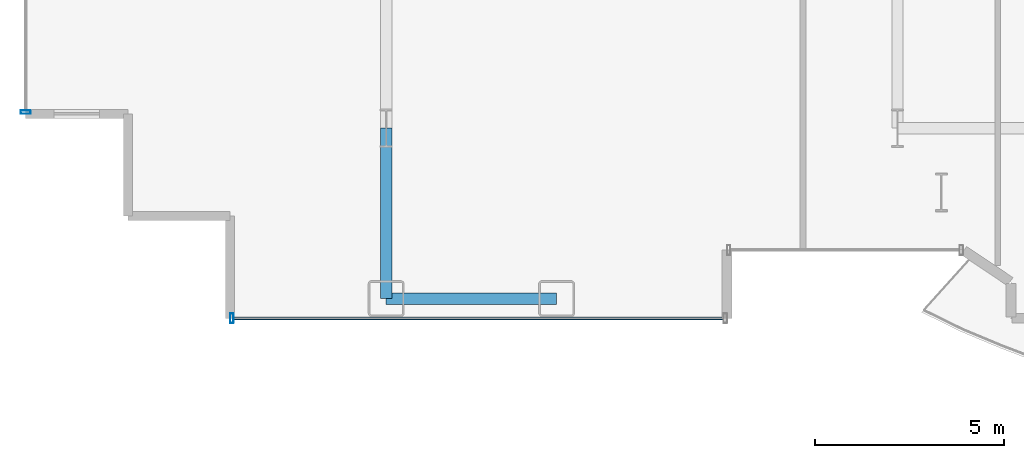
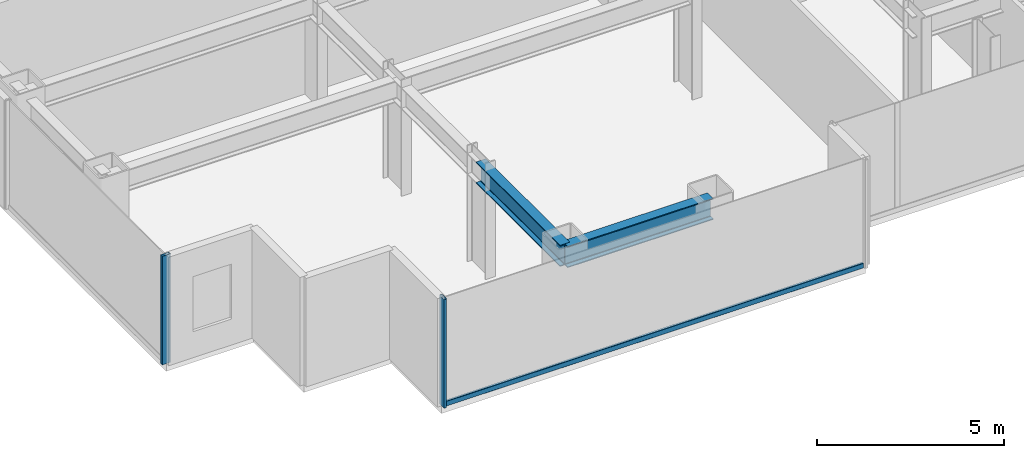
# One storey, part 2 of 29: 3 members, 2 beams, 2 elements without a shape of their own.
"""IFC4 building model written with IfcOpenShell, lengths in metres."""

from ifc_helpers import new_model, si_unit, direction, frame, origin, origin_2d, place, context, subcontext, project, spatial, hollow_rectangle, i_section, extrude, source, transform, mapped, material, layer, layer_set, material_profile, profile_set, type_object, element, aggregate, save


model = new_model("IFC4")

# Units and contexts
model_context = context("Model", 3, precision=1e-05, world=origin(), true_north=direction((0.0, 1.0)))
body_context = subcontext(model_context, "Body", "Model", "MODEL_VIEW")
ifc_project = project(units=[si_unit("LENGTHUNIT", "METRE"), si_unit("AREAUNIT", "SQUARE_METRE"), si_unit("VOLUMEUNIT", "CUBIC_METRE"), si_unit("PLANEANGLEUNIT", "RADIAN"), si_unit("MASSUNIT", "GRAM", prefix="KILO")], contexts=[model_context])

# Site, building, storey
site_placement = place(None, origin())
site = spatial("IfcSite", under=ifc_project, at=site_placement, CompositionType="ELEMENT")
building_placement = place(site_placement, origin())
building = spatial("IfcBuilding", under=site, at=building_placement, Name="Nefas-Gora Pilgrimage Tower", CompositionType="ELEMENT")
storey_placement = place(building_placement, frame((0.0, 0.0, 44.39990234375)))
storey = spatial("IfcBuildingStorey", under=building, at=storey_placement, Name="L09", CompositionType="ELEMENT", Elevation=44.39990234375)

# Beams
ifc_material_1 = material(Name="Steel S355", Category="steel")
ifc_material_profile_1 = material_profile(ifc_material_1, i_section(OverallWidth=0.300048828125, OverallDepth=0.699951171875, WebThickness=0.01708984375, FlangeThickness=0.031982421875, FilletRadius=0.027099609375, at=origin_2d()), Name="HEB 700")
ifc_profile_set_1 = profile_set([ifc_material_profile_1], Name="Steel S355")
beam_type_1 = type_object("IfcBeamType", Name="BM-SPN-HEB600", PredefinedType="SPANDREL", material=ifc_profile_set_1)
shared_shape_1 = source(origin(), body_context, "Body", "SweptSolid", [
    extrude(i_section(OverallWidth=0.300048828125, OverallDepth=0.699951171875, WebThickness=0.01708984375, FlangeThickness=0.031982421875, FilletRadius=0.027099609375, at=origin_2d()), origin(), (0.0, 0.0, 1.0), 4.5),
])
beam_1_placement = place(storey_placement, frame((-24.75, -22.5, 3.2001953125), z_axis=(1.0, 0.0, 0.0), x_axis=(0.0, 1.0, 0.0)))
element("IfcBeam", 1, at=beam_1_placement, inside=storey, type_object=beam_type_1, Name="L09 SP-01 beam", PredefinedType="SPANDREL", context=body_context, shape_type="MappedRepresentation", body=[
    mapped(shared_shape_1, transform((0.0, 0.0, 0.0), x_axis=(1.0, 0.0, 0.0), y_axis=(0.0, 1.0, 0.0), z_axis=(0.0, 0.0, 1.0), scale=1.0)),
])
ifc_material_profile_2 = material_profile(ifc_material_1, i_section(OverallWidth=0.300048828125, OverallDepth=0.699951171875, WebThickness=0.01708984375, FlangeThickness=0.031982421875, FilletRadius=0.027099609375, at=origin_2d()), Name="HEB 700")
ifc_profile_set_2 = profile_set([ifc_material_profile_2], Name="Steel S355")
beam_type_2 = type_object("IfcBeamType", Name="BM-GIR-HEB700", PredefinedType="BEAM", material=ifc_profile_set_2)
shared_shape_2 = source(origin(), body_context, "Body", "SweptSolid", [
    extrude(i_section(OverallWidth=0.300048828125, OverallDepth=0.699951171875, WebThickness=0.01708984375, FlangeThickness=0.031982421875, FilletRadius=0.027099609375, at=origin_2d()), origin(), (0.0, 0.0, 1.0), 4.5),
])
beam_2_placement = place(storey_placement, frame((-24.75, -22.5, 3.2001953125), z_axis=(0.0, 1.0, 0.0), x_axis=(-1.0, 0.0, 0.0)))
element("IfcBeam", 2, at=beam_2_placement, inside=storey, type_object=beam_type_2, Name="L09 G-02 beam", PredefinedType="BEAM", context=body_context, shape_type="MappedRepresentation", body=[
    mapped(shared_shape_2, transform((0.0, 0.0, 0.0), x_axis=(1.0, 0.0, 0.0), y_axis=(0.0, 1.0, 0.0), z_axis=(0.0, 0.0, 1.0), scale=1.0)),
])

# Curtain wall, member
ifc_material_2 = material(Name="Dark ceramic-fritted solar-control aluminium-glass curtain wall", Category="aluminium")
ifc_layer = layer(ifc_material_2, 0.219970703125)
ifc_layer_set = layer_set([ifc_layer], Name="Dark ceramic-fritted solar-control aluminium-glass curtain wall")
curtain_wall_type = type_object("IfcCurtainWallType", Name="CW-SYS-2", PredefinedType="NOTDEFINED", material=ifc_layer_set)
curtain_wall_1_placement = place(storey_placement, origin())
curtain_wall_1 = element("IfcCurtainWall", 3, at=curtain_wall_1_placement, inside=storey, type_object=curtain_wall_type, Name="L09 Unitised Curtain Wall CW2", PredefinedType="NOTDEFINED")
ifc_material_3 = material(Name="Anodised architectural aluminium", Category="aluminium")
ifc_material_profile_3 = material_profile(ifc_material_3, hollow_rectangle(XDim=0.090087890625, YDim=0.260009765625, WallThickness=0.006103515625, InnerFilletRadius=0.006103515625, OuterFilletRadius=0.011962890625, at=origin_2d()), Name="ALU MULLION 90x260")
ifc_profile_set_3 = profile_set([ifc_material_profile_3], Name="Anodised architectural aluminium")
member_type_1 = type_object("IfcMemberType", Name="CWM-MUL-2", PredefinedType="MULLION", material=ifc_profile_set_3)
shared_shape_3 = source(origin(), body_context, "Body", "SweptSolid", [
    extrude(hollow_rectangle(XDim=0.090087890625, YDim=0.260009765625, WallThickness=0.006103515625, InnerFilletRadius=0.006103515625, OuterFilletRadius=0.011962890625, at=origin_2d()), origin(), (0.0, 0.0, 1.0), 3.550048828125),
])
member_1_placement = place(storey_placement, frame((-34.27001953125, -17.574951171875, 0.0), z_axis=(0.0, 0.0, 1.0), x_axis=(0.0, -1.0, 0.0)))
member_1 = element("IfcMember", 4, at=member_1_placement, type_object=member_type_1, Name="CW2 Mullion 2", PredefinedType="MULLION", context=body_context, shape_type="MappedRepresentation", body=[
    mapped(shared_shape_3, transform((0.0, 0.0, 0.0), x_axis=(1.0, 0.0, 0.0), y_axis=(0.0, 1.0, 0.0), z_axis=(0.0, 0.0, 1.0), scale=1.0)),
])
aggregate(curtain_wall_1, [member_1])

# Curtain wall, members
curtain_wall_2_placement = place(storey_placement, origin())
curtain_wall_2 = element("IfcCurtainWall", 5, at=curtain_wall_2_placement, inside=storey, type_object=curtain_wall_type, Name="L09 Unitised Curtain Wall CW2", PredefinedType="NOTDEFINED")
member_2_placement = place(storey_placement, frame((-28.824951171875, -23.02001953125, 0.0), z_axis=(0.0, 0.0, 1.0), x_axis=(1.0, 0.0, 0.0)))
member_2 = element("IfcMember", 6, at=member_2_placement, type_object=member_type_1, Name="CW2 Mullion 1", PredefinedType="MULLION", context=body_context, shape_type="MappedRepresentation", body=[
    mapped(shared_shape_3, transform((0.0, 0.0, 0.0), x_axis=(1.0, 0.0, 0.0), y_axis=(0.0, 1.0, 0.0), z_axis=(0.0, 0.0, 1.0), scale=1.0)),
])
ifc_material_profile_4 = material_profile(ifc_material_3, hollow_rectangle(XDim=0.080078125, YDim=0.159912109375, WallThickness=0.00439453125, InnerFilletRadius=0.00439453125, OuterFilletRadius=0.009033203125, at=origin_2d()), Name="ALU TRANSOM 80x160")
ifc_profile_set_4 = profile_set([ifc_material_profile_4], Name="Anodised architectural aluminium")
member_type_2 = type_object("IfcMemberType", Name="CWM-TRN-2", PredefinedType="USERDEFINED", material=ifc_profile_set_4)
shared_shape_4 = source(origin(), body_context, "Body", "SweptSolid", [
    extrude(hollow_rectangle(XDim=0.080078125, YDim=0.159912109375, WallThickness=0.00439453125, InnerFilletRadius=0.00439453125, OuterFilletRadius=0.009033203125, at=origin_2d()), origin(), (0.0, 0.0, 1.0), 12.93994140625),
])
member_3_placement = place(storey_placement, frame((-28.780029296875, -23.02001953125, 0.050048828125), z_axis=(1.0, 0.0, 0.0), x_axis=(0.0, 1.0, 0.0)))
member_3 = element("IfcMember", 7, at=member_3_placement, type_object=member_type_2, Name="CW2 Spandrel Transom", ObjectType="TRANSOM", PredefinedType="USERDEFINED", context=body_context, shape_type="MappedRepresentation", body=[
    mapped(shared_shape_4, transform((0.0, 0.0, 0.0), x_axis=(1.0, 0.0, 0.0), y_axis=(0.0, 1.0, 0.0), z_axis=(0.0, 0.0, 1.0), scale=1.0)),
])
aggregate(curtain_wall_2, [member_2, member_3])

save(model, "model.ifc")
